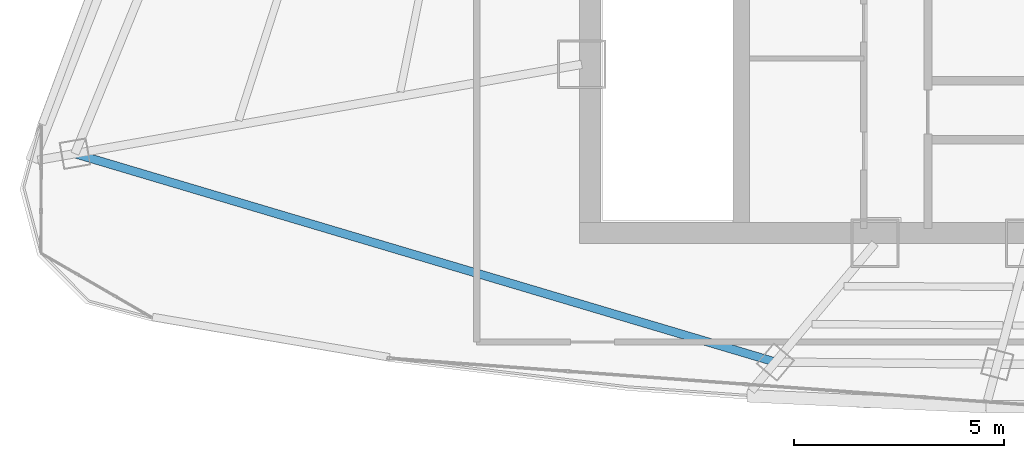
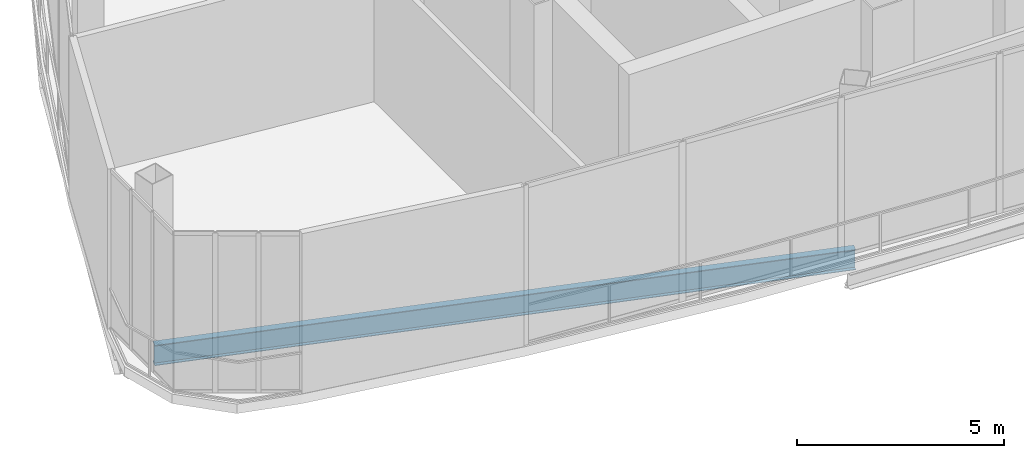
# One storey, part 4 of 32: 1 beam.
"""IFC4 building model written with IfcOpenShell, lengths in metres."""

from ifc_helpers import new_model, si_unit, direction, frame, origin, origin_2d, place, context, subcontext, project, spatial, i_section, extrude, source, transform, mapped, material, material_profile, profile_set, type_object, element, save


model = new_model("IFC4")

# Units and contexts
model_context = context("Model", 3, precision=1e-05, world=origin(), true_north=direction((0.0, 1.0)))
body_context = subcontext(model_context, "Body", "Model", "MODEL_VIEW")
ifc_project = project(units=[si_unit("LENGTHUNIT", "METRE"), si_unit("AREAUNIT", "SQUARE_METRE"), si_unit("VOLUMEUNIT", "CUBIC_METRE"), si_unit("PLANEANGLEUNIT", "RADIAN"), si_unit("MASSUNIT", "GRAM", prefix="KILO"), si_unit("THERMODYNAMICTEMPERATUREUNIT", "KELVIN"), si_unit("POWERUNIT", "WATT")], contexts=[model_context])

# Site, building, storey
site_placement = place(None, origin())
site = spatial("IfcSite", under=ifc_project, at=site_placement, CompositionType="ELEMENT")
building_placement = place(site_placement, origin())
building = spatial("IfcBuilding", under=site, at=building_placement, Name="Yunzhuo Pagoda Commons", CompositionType="ELEMENT")
storey_placement = place(building_placement, frame((0.0, 0.0, 396.760009765625)))
storey = spatial("IfcBuildingStorey", under=building, at=storey_placement, Name="L98", CompositionType="ELEMENT", Elevation=396.760009765625)

# Beam
ifc_material = material(Name="Structural steel Q355B", Category="steel")
ifc_material_profile = material_profile(ifc_material, i_section(OverallWidth=0.199951171875, OverallDepth=0.60009765625, WebThickness=0.010986328125, FlangeThickness=0.01708984375, at=origin_2d()), Name="Structural steel Q355B")
ifc_profile_set = profile_set([ifc_material_profile], Name="Structural steel Q355B")
beam_type = type_object("IfcBeamType", Name="B-RG3 Beam HN 600x200x11x17", PredefinedType="BEAM", material=ifc_profile_set)
shared_shape = source(origin(), body_context, "Body", "SweptSolid", [
    extrude(i_section(OverallWidth=0.199951171875, OverallDepth=0.60009765625, WebThickness=0.010986328125, FlangeThickness=0.01708984375, at=origin_2d()), origin(), (0.0, 0.0, 1.0), 17.407470703125),
])
beam_placement = place(storey_placement, frame((23.52978515625, 29.38525390625, -0.580078125), z_axis=(0.958484984609, -0.285143006717, 0.0), x_axis=(0.285143006717, 0.958484984609, 0.0)))
element("IfcBeam", 1, at=beam_placement, inside=storey, type_object=beam_type, Name="L98 column-ring beam 12", PredefinedType="BEAM", context=body_context, shape_type="MappedRepresentation", body=[
    mapped(shared_shape, transform((0.0, 0.0, 0.0), scale=1.0)),
])

save(model, "model.ifc")
